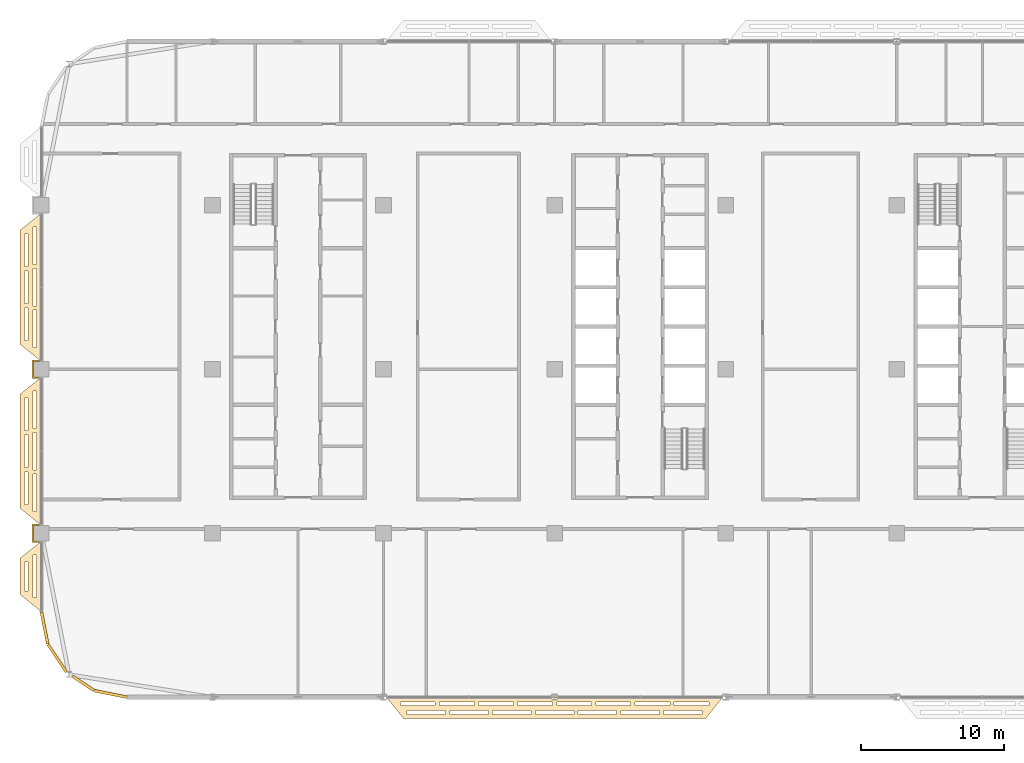
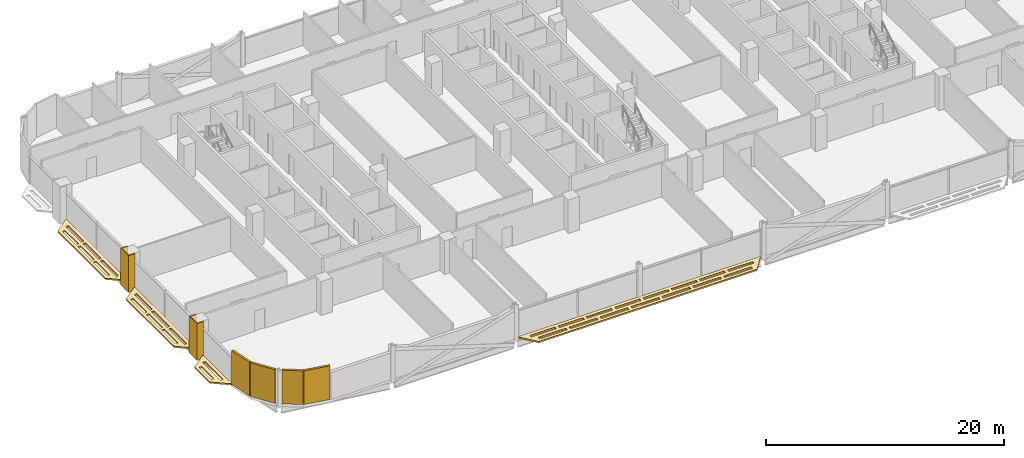
# One storey, part 25 of 30: 10 coverings.
"""IFC4 building model written with IfcOpenShell, lengths in metres."""

from ifc_helpers import new_model, si_unit, direction, frame, origin, origin_2d, place, context, subcontext, project, spatial, polyline, rectangle, outline, extrude, material, layer, layer_set, type_object, element, save


model = new_model("IFC4")

# Units and contexts
model_context = context("Model", 3, precision=1e-05, world=origin(), true_north=direction((0.0, 1.0)))
body_context = subcontext(model_context, "Body", "Model", "MODEL_VIEW")
ifc_project = project(units=[si_unit("LENGTHUNIT", "METRE"), si_unit("AREAUNIT", "SQUARE_METRE"), si_unit("VOLUMEUNIT", "CUBIC_METRE"), si_unit("PLANEANGLEUNIT", "RADIAN"), si_unit("MASSUNIT", "GRAM", prefix="KILO")], contexts=[model_context])

# Site, building, storey
site_placement = place(None, origin())
site = spatial("IfcSite", under=ifc_project, at=site_placement, CompositionType="ELEMENT")
building_placement = place(site_placement, origin())
building = spatial("IfcBuilding", under=site, at=building_placement, Name="Mahtab Terrace Research Tower", CompositionType="ELEMENT")
storey_placement = place(building_placement, frame((0.0, 0.0, 216.699951171875)))
storey = spatial("IfcBuildingStorey", under=building, at=storey_placement, Name="L52", CompositionType="ELEMENT", Elevation=216.699951171875)

# Coverings
ifc_material_1 = material(Name="Black aluminium cladding panel", Category="aluminium")
ifc_layer_1 = layer(ifc_material_1, 0.199951171875)
ifc_layer_set_1 = layer_set([ifc_layer_1], Name="Black metal corner cladding 200")
covering_type_1 = type_object("IfcCoveringType", Name="Black metal corner cladding 200", PredefinedType="CLADDING", material=ifc_layer_set_1)
for number, where, z_axis, x_axis, name in (
    (1, (-41.771484375, -18.14794921875, 0.0), (0.0, 0.0, 1.0), (0.195212442692, -0.980760981187, 0.0), "Corner cladding L52 19"),
    (2, (-40.89306640625, -20.26953125, 0.0), (0.0, 0.0, 1.0), (0.555291490808, -0.831655794326, 0.0), "Corner cladding L52 20"),
):
    element("IfcCovering", number, at=place(storey_placement, frame(where, z_axis=z_axis, x_axis=x_axis)), inside=storey, type_object=covering_type_1, Name=name, PredefinedType="CLADDING", context=body_context, shape_type="SweptSolid", body=[
        extrude(rectangle(XDim=2.30126953125, YDim=0.199951171875, at=origin_2d()), origin(), (0.0, 0.0, 1.0), 3.4599609375),
    ])
covering_1_placement = place(storey_placement, frame((-39.059814453125, -22.032958984375, 0.0), z_axis=(0.0, 0.0, 1.0), x_axis=(0.831655794326, -0.555291490808, 0.0)))
element("IfcCovering", 3, at=covering_1_placement, inside=storey, type_object=covering_type_1, Name="Corner cladding L52 21", PredefinedType="CLADDING", context=body_context, shape_type="SweptSolid", body=[
    extrude(rectangle(XDim=1.797119140625, YDim=0.199951171875, at=origin_2d()), origin(), (0.0, 0.0, 1.0), 3.4599609375),
])
covering_2_placement = place(storey_placement, frame((-37.14794921875, -22.771484375, 0.0), z_axis=(0.0, 0.0, 1.0), x_axis=(0.980760981187, -0.195212442692, 0.0)))
element("IfcCovering", 4, at=covering_2_placement, inside=storey, type_object=covering_type_1, Name="Corner cladding L52 22", PredefinedType="CLADDING", context=body_context, shape_type="SweptSolid", body=[
    extrude(rectangle(XDim=2.30126953125, YDim=0.199951171875, at=origin_2d()), origin(), (0.0, 0.0, 1.0), 3.4599609375),
])
ifc_material_2 = material(Name="Dark anodised aluminium cladding", Category="aluminium")
ifc_layer_2 = layer(ifc_material_2, 0.10009765625)
ifc_layer_set_2 = layer_set([ifc_layer_2], Name="Column casing 100")
covering_type_2 = type_object("IfcCoveringType", Name="Column casing 100", PredefinedType="CLADDING", material=ifc_layer_set_2)
covering_3_placement = place(storey_placement, frame((0.0, 0.0, -0.33984375)))
element("IfcCovering", 5, at=covering_3_placement, inside=storey, type_object=covering_type_2, Name="Column casing RC-1A L52", PredefinedType="CLADDING", context=body_context, shape_type="SweptSolid", body=[
    extrude(outline(polyline([(-42.64990234375, -10.85009765625), (-42.0, -10.85009765625), (-42.0, -10.949951171875), (-42.550048828125, -10.949951171875), (-42.550048828125, -12.050048828125), (-42.0, -12.050048828125), (-42.0, -12.14990234375), (-42.64990234375, -12.14990234375), (-42.64990234375, -10.85009765625)])), origin(), (0.0, 0.0, 1.0), 3.7998046875),
])
covering_4_placement = place(storey_placement, frame((0.0, 0.0, -0.33984375)))
element("IfcCovering", 6, at=covering_4_placement, inside=storey, type_object=covering_type_2, Name="Column casing RC-1B L52", PredefinedType="CLADDING", context=body_context, shape_type="SweptSolid", body=[
    extrude(outline(polyline([(-42.64990234375, 0.64990234375), (-42.0, 0.64990234375), (-42.0, 0.550048828125), (-42.550048828125, 0.550048828125), (-42.550048828125, -0.550048828125), (-42.0, -0.550048828125), (-42.0, -0.64990234375), (-42.64990234375, -0.64990234375), (-42.64990234375, 0.64990234375)])), origin(), (0.0, 0.0, 1.0), 3.7998046875),
])
ifc_material_3 = material(Name="Black anodised aluminium", Category="aluminium")
ifc_layer_3 = layer(ifc_material_3, 0.14990234375)
ifc_layer_set_3 = layer_set([ifc_layer_3], Name="Horizontal sunshade band")
covering_type_3 = type_object("IfcCoveringType", Name="Horizontal sunshade band", PredefinedType="CLADDING", material=ifc_layer_set_3)
covering_5_placement = place(storey_placement, frame((0.0, 0.0, -0.14990234375)))
element("IfcCovering", 7, at=covering_5_placement, inside=storey, type_object=covering_type_3, Name="Sunshade band L52 16", PredefinedType="CLADDING", context=body_context, shape_type="SweptSolid", body=[
    extrude(outline(polyline([(-42.0, 10.949951171875), (-42.0, 0.550048828125), (-43.5, 1.75), (-43.5, 9.75), (-42.0, 10.949951171875)]), holes=[polyline([(-42.35009765625, 9.969970703125), (-42.35009765625, 7.35693359375), (-42.60009765625, 7.35693359375), (-42.60009765625, 9.969970703125), (-42.35009765625, 9.969970703125)]), polyline([(-42.35009765625, 7.056884765625), (-42.35009765625, 4.443115234375), (-42.60009765625, 4.443115234375), (-42.60009765625, 7.056884765625), (-42.35009765625, 7.056884765625)]), polyline([(-42.35009765625, 4.14306640625), (-42.35009765625, 1.530029296875), (-42.60009765625, 1.530029296875), (-42.60009765625, 4.14306640625), (-42.35009765625, 4.14306640625)]), polyline([(-42.949951171875, 9.489990234375), (-42.949951171875, 7.197021484375), (-43.199951171875, 7.197021484375), (-43.199951171875, 9.489990234375), (-42.949951171875, 9.489990234375)]), polyline([(-42.949951171875, 6.89697265625), (-42.949951171875, 4.60302734375), (-43.199951171875, 4.60302734375), (-43.199951171875, 6.89697265625), (-42.949951171875, 6.89697265625)]), polyline([(-42.949951171875, 4.302978515625), (-42.949951171875, 2.010009765625), (-43.199951171875, 2.010009765625), (-43.199951171875, 4.302978515625), (-42.949951171875, 4.302978515625)])]), origin(), (0.0, 0.0, 1.0), 0.14990234375),
])
covering_6_placement = place(storey_placement, frame((0.0, 0.0, -0.14990234375)))
element("IfcCovering", 8, at=covering_6_placement, inside=storey, type_object=covering_type_3, Name="Sunshade band L52 17", PredefinedType="CLADDING", context=body_context, shape_type="SweptSolid", body=[
    extrude(outline(polyline([(-42.0, -0.550048828125), (-42.0, -10.949951171875), (-43.5, -9.75), (-43.5, -1.75), (-42.0, -0.550048828125)]), holes=[polyline([(-42.35009765625, -1.530029296875), (-42.35009765625, -4.14306640625), (-42.60009765625, -4.14306640625), (-42.60009765625, -1.530029296875), (-42.35009765625, -1.530029296875)]), polyline([(-42.35009765625, -4.443115234375), (-42.35009765625, -7.056884765625), (-42.60009765625, -7.056884765625), (-42.60009765625, -4.443115234375), (-42.35009765625, -4.443115234375)]), polyline([(-42.35009765625, -7.35693359375), (-42.35009765625, -9.969970703125), (-42.60009765625, -9.969970703125), (-42.60009765625, -7.35693359375), (-42.35009765625, -7.35693359375)]), polyline([(-42.949951171875, -2.010009765625), (-42.949951171875, -4.302978515625), (-43.199951171875, -4.302978515625), (-43.199951171875, -2.010009765625), (-42.949951171875, -2.010009765625)]), polyline([(-42.949951171875, -4.60302734375), (-42.949951171875, -6.89697265625), (-43.199951171875, -6.89697265625), (-43.199951171875, -4.60302734375), (-42.949951171875, -4.60302734375)]), polyline([(-42.949951171875, -7.197021484375), (-42.949951171875, -9.489990234375), (-43.199951171875, -9.489990234375), (-43.199951171875, -7.197021484375), (-42.949951171875, -7.197021484375)])]), origin(), (0.0, 0.0, 1.0), 0.14990234375),
])
covering_7_placement = place(storey_placement, frame((0.0, 0.0, -0.14990234375)))
element("IfcCovering", 9, at=covering_7_placement, inside=storey, type_object=covering_type_3, Name="Sunshade band L52 18", PredefinedType="CLADDING", context=body_context, shape_type="SweptSolid", body=[
    extrude(outline(polyline([(-42.0, -12.050048828125), (-42.0, -17.0), (-43.5, -15.800048828125), (-43.5, -13.25), (-42.0, -12.050048828125)]), holes=[polyline([(-42.35009765625, -13.030029296875), (-42.35009765625, -16.02001953125), (-42.60009765625, -16.02001953125), (-42.60009765625, -13.030029296875), (-42.35009765625, -13.030029296875)]), polyline([(-42.949951171875, -13.510009765625), (-42.949951171875, -15.5400390625), (-43.199951171875, -15.5400390625), (-43.199951171875, -13.510009765625), (-42.949951171875, -13.510009765625)])]), origin(), (0.0, 0.0, 1.0), 0.14990234375),
])
covering_8_placement = place(storey_placement, frame((0.0, 0.0, -0.14990234375)))
element("IfcCovering", 10, at=covering_8_placement, inside=storey, type_object=covering_type_3, Name="Sunshade band L52 25", PredefinedType="CLADDING", context=body_context, shape_type="SweptSolid", body=[
    extrude(outline(polyline([(-17.800048828125, -23.0), (5.800048828125, -23.0), (4.60009765625, -24.5), (-16.60009765625, -24.5), (-17.800048828125, -23.0)]), holes=[polyline([(-16.820068359375, -23.35009765625), (-14.3779296875, -23.35009765625), (-14.3779296875, -23.60009765625), (-16.820068359375, -23.60009765625), (-16.820068359375, -23.35009765625)]), polyline([(-14.077880859375, -23.35009765625), (-11.635009765625, -23.35009765625), (-11.635009765625, -23.60009765625), (-14.077880859375, -23.60009765625), (-14.077880859375, -23.35009765625)]), polyline([(-11.3349609375, -23.35009765625), (-8.89306640625, -23.35009765625), (-8.89306640625, -23.60009765625), (-11.3349609375, -23.60009765625), (-11.3349609375, -23.35009765625)]), polyline([(-8.593017578125, -23.35009765625), (-6.14990234375, -23.35009765625), (-6.14990234375, -23.60009765625), (-8.593017578125, -23.60009765625), (-8.593017578125, -23.35009765625)]), polyline([(-5.85009765625, -23.35009765625), (-3.406982421875, -23.35009765625), (-3.406982421875, -23.60009765625), (-5.85009765625, -23.60009765625), (-5.85009765625, -23.35009765625)]), polyline([(-3.10791015625, -23.35009765625), (-0.6650390625, -23.35009765625), (-0.6650390625, -23.60009765625), (-3.10791015625, -23.60009765625), (-3.10791015625, -23.35009765625)]), polyline([(-0.364990234375, -23.35009765625), (2.077880859375, -23.35009765625), (2.077880859375, -23.60009765625), (-0.364990234375, -23.60009765625), (-0.364990234375, -23.35009765625)]), polyline([(2.376953125, -23.35009765625), (4.820068359375, -23.35009765625), (4.820068359375, -23.60009765625), (2.376953125, -23.60009765625), (2.376953125, -23.35009765625)]), polyline([(-16.340087890625, -23.949951171875), (-13.64306640625, -23.949951171875), (-13.64306640625, -24.199951171875), (-16.340087890625, -24.199951171875), (-16.340087890625, -23.949951171875)]), polyline([(-13.343017578125, -23.949951171875), (-10.64599609375, -23.949951171875), (-10.64599609375, -24.199951171875), (-13.343017578125, -24.199951171875), (-13.343017578125, -23.949951171875)]), polyline([(-10.345947265625, -23.949951171875), (-7.64892578125, -23.949951171875), (-7.64892578125, -24.199951171875), (-10.345947265625, -24.199951171875), (-10.345947265625, -23.949951171875)]), polyline([(-7.34912109375, -23.949951171875), (-4.65087890625, -23.949951171875), (-4.65087890625, -24.199951171875), (-7.34912109375, -24.199951171875), (-7.34912109375, -23.949951171875)]), polyline([(-4.35107421875, -23.949951171875), (-1.654052734375, -23.949951171875), (-1.654052734375, -24.199951171875), (-4.35107421875, -24.199951171875), (-4.35107421875, -23.949951171875)]), polyline([(-1.35400390625, -23.949951171875), (1.343017578125, -23.949951171875), (1.343017578125, -24.199951171875), (-1.35400390625, -24.199951171875), (-1.35400390625, -23.949951171875)]), polyline([(1.64306640625, -23.949951171875), (4.340087890625, -23.949951171875), (4.340087890625, -24.199951171875), (1.64306640625, -24.199951171875), (1.64306640625, -23.949951171875)])]), origin(), (0.0, 0.0, 1.0), 0.14990234375),
])

save(model, "model.ifc")
